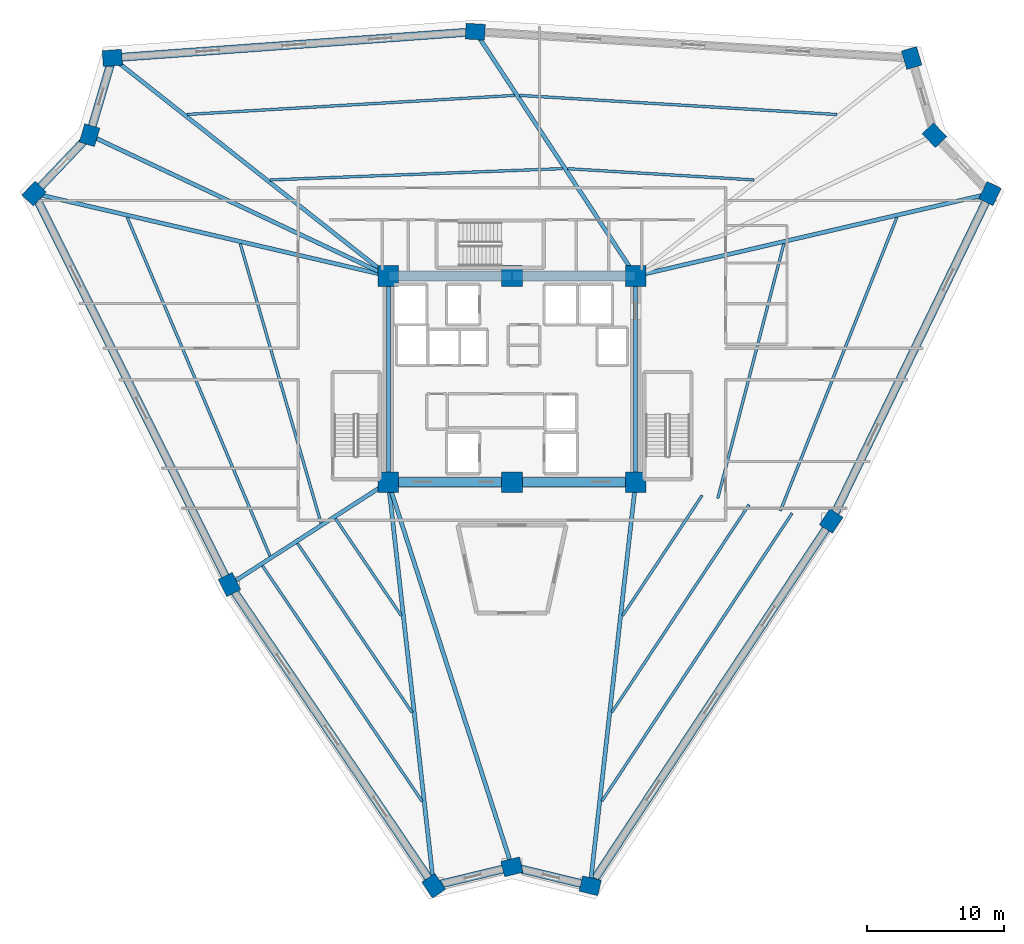
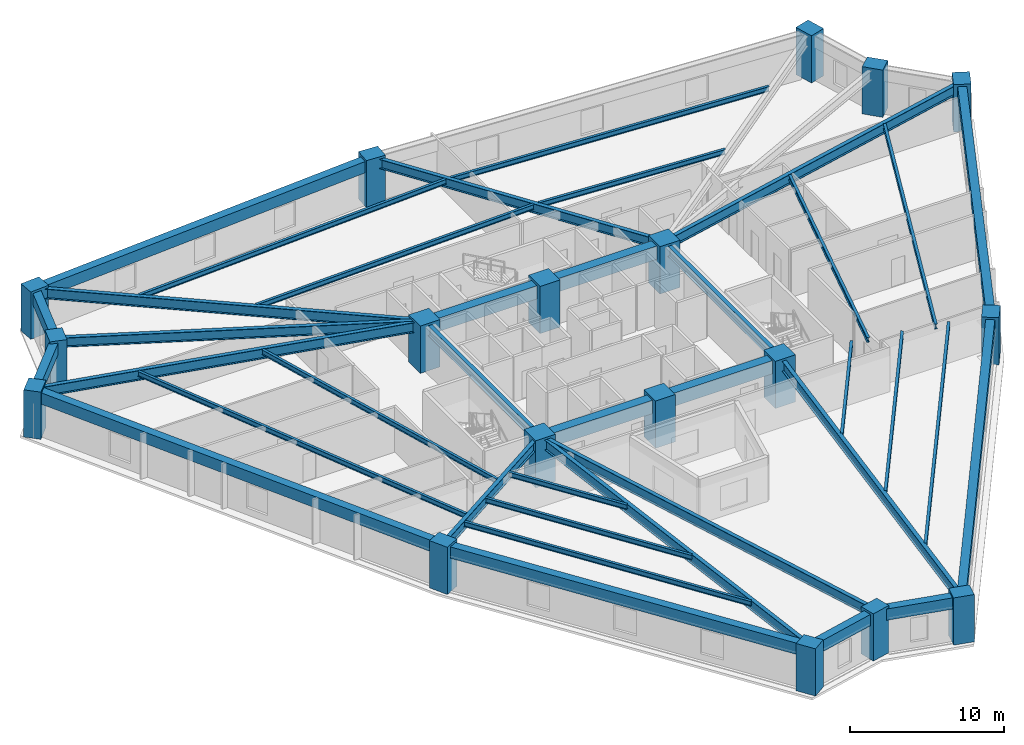
# One storey, part 1 of 10: 38 beams, 18 columns.
"""IFC4 building model written with IfcOpenShell, lengths in metres."""

from ifc_helpers import new_model, si_unit, direction, frame, origin, origin_2d, place, context, subcontext, project, spatial, rectangle, i_section, extrude, source, transform, mapped, material, material_profile, profile_set, type_object, element, save


model = new_model("IFC4")

# Units and contexts
model_context = context("Model", 3, precision=1e-05, world=origin(), true_north=direction((0.0, 1.0)))
body_context = subcontext(model_context, "Body", "Model", "MODEL_VIEW")
ifc_project = project(units=[si_unit("LENGTHUNIT", "METRE"), si_unit("AREAUNIT", "SQUARE_METRE"), si_unit("VOLUMEUNIT", "CUBIC_METRE"), si_unit("PLANEANGLEUNIT", "RADIAN"), si_unit("MASSUNIT", "GRAM", prefix="KILO")], contexts=[model_context])

# Site, building, storey
site_placement = place(None, origin())
site = spatial("IfcSite", under=ifc_project, at=site_placement, CompositionType="ELEMENT")
building_placement = place(site_placement, origin())
building = spatial("IfcBuilding", under=site, at=building_placement, Name="Liaohun Quay Tower", CompositionType="ELEMENT")
storey_placement = place(building_placement, frame((0.0, 0.0, 166.5)))
storey = spatial("IfcBuildingStorey", under=building, at=storey_placement, Name="L43", CompositionType="ELEMENT", Elevation=166.5)

# Columns
ifc_material_1 = material(Name="Concrete C60", Category="concrete")
ifc_material_profile_1 = material_profile(ifc_material_1, rectangle(XDim=1.5, YDim=1.5, at=origin_2d()), Name="RC1500x1500")
ifc_profile_set_1 = profile_set([ifc_material_profile_1], Name="Concrete C60")
column_type_1 = type_object("IfcColumnType", Name="COL-CC-Z2", PredefinedType="COLUMN", material=ifc_profile_set_1)
shared_shape_1 = source(origin(), body_context, "Body", "SweptSolid", [
    extrude(rectangle(XDim=1.5, YDim=1.5, at=origin_2d()), origin(), (0.0, 0.0, 1.0), 3.75),
])
for number, where, z_axis, x_axis, name in (
    (1, (51.0, 46.5, 0.0), (0.0, 0.0, 1.0), (1.0, 0.0, 0.0), "L43 Core Column CC1"),
    (2, (60.0, 46.5, 0.0), (0.0, 0.0, 1.0), (1.0, 0.0, 0.0), "L43 Core Column CC2"),
    (3, (69.0, 46.5, 0.0), (0.0, 0.0, 1.0), (1.0, 0.0, 0.0), "L43 Core Column CC3"),
    (4, (69.0, 61.5, 0.0), (0.0, 0.0, 1.0), (1.0, 0.0, 0.0), "L43 Core Column CC4"),
    (5, (60.0, 61.5, 0.0), (0.0, 0.0, 1.0), (1.0, 0.0, 0.0), "L43 Core Column CC5"),
    (6, (51.0, 61.5, 0.0), (0.0, 0.0, 1.0), (1.0, 0.0, 0.0), "L43 Core Column CC6"),
):
    element("IfcColumn", number, at=place(storey_placement, frame(where, z_axis=z_axis, x_axis=x_axis)), inside=storey, type_object=column_type_1, Name=name, PredefinedType="COLUMN", context=body_context, shape_type="MappedRepresentation", body=[
        mapped(shared_shape_1, transform((0.0, 0.0, 0.0), x_axis=(1.0, 0.0, 0.0), y_axis=(0.0, 1.0, 0.0), z_axis=(0.0, 0.0, 1.0), scale=1.0)),
    ])
ifc_material_profile_2 = material_profile(ifc_material_1, rectangle(XDim=1.39990234375, YDim=1.14990234375, at=origin_2d()), Name="RC1400x1150")
ifc_profile_set_2 = profile_set([ifc_material_profile_2], Name="Concrete C60")
column_type_2 = type_object("IfcColumnType", Name="COL-PIER-Z2", PredefinedType="COLUMN", material=ifc_profile_set_2)
shared_shape_2 = source(origin(), body_context, "Body", "SweptSolid", [
    extrude(rectangle(XDim=1.39990234375, YDim=1.14990234375, at=origin_2d()), origin(), (0.0, 0.0, 1.0), 3.75),
])
for number, where, z_axis, x_axis, name in (
    (7, (54.300048828125, 17.1220703125, 0.0), (0.0, 0.0, 1.0), (-0.56107248907, 0.827766671236, 0.0), "L43 Perimeter Pier PC01"),
    (8, (39.43994140625, 39.044921875, 0.0), (0.0, 0.0, 1.0), (-0.446978620671, 0.894544639838, 0.0), "L43 Perimeter Pier PC02"),
    (9, (25.218017578125, 67.508056640625, 0.0), (0.0, 0.0, 1.0), (0.689240273721, 0.724532846102, 0.0), "L43 Perimeter Pier PC03"),
    (10, (29.25390625, 71.7509765625, 0.0), (0.0, 0.0, 1.0), (0.28284371374, 0.959166009405, 0.0), "L43 Perimeter Pier PC04"),
    (11, (30.9130859375, 77.3759765625, 0.0), (0.0, 0.0, 1.0), (0.997403210231, 0.072019693281, 0.0), "L43 Perimeter Pier PC05"),
    (12, (57.3291015625, 79.282958984375, 0.0), (0.0, 0.0, 1.0), (-0.998187693254, 0.060177479469, 0.0), "L43 Perimeter Pier PC06"),
    (13, (89.089111328125, 77.367919921875, 0.0), (0.0, 0.0, 1.0), (-0.28284371374, 0.959166009405, 0.0), "L43 Perimeter Pier PC07"),
    (14, (90.74609375, 71.7509765625, 0.0), (0.0, 0.0, 1.0), (-0.689240273721, 0.724532846102, 0.0), "L43 Perimeter Pier PC08"),
    (15, (94.787109375, 67.5029296875, 0.0), (0.0, 0.0, 1.0), (0.436330721162, 0.899786364517, 0.0), "L43 Perimeter Pier PC09"),
    (16, (83.23193359375, 43.672119140625, 0.0), (0.0, 0.0, 1.0), (0.551209072583, 0.834367160369, 0.0), "L43 Perimeter Pier PC10"),
    (17, (65.693115234375, 17.123046875, 0.0), (0.0, 0.0, 1.0), (-0.972043021443, 0.234802820391, 0.0), "L43 Perimeter Pier PC11"),
    (18, (60.0, 18.498046875, 0.0), (0.0, 0.0, 1.0), (0.972043021443, 0.234802820391, 0.0), "L43 Perimeter Pier PC12"),
):
    element("IfcColumn", number, at=place(storey_placement, frame(where, z_axis=z_axis, x_axis=x_axis)), inside=storey, type_object=column_type_2, Name=name, PredefinedType="COLUMN", context=body_context, shape_type="MappedRepresentation", body=[
        mapped(shared_shape_2, transform((0.0, 0.0, 0.0), x_axis=(1.0, 0.0, 0.0), y_axis=(0.0, 1.0, 0.0), z_axis=(0.0, 0.0, 1.0), scale=1.0)),
    ])

# Beams
ifc_material_profile_3 = material_profile(ifc_material_1, rectangle(XDim=0.699951171875, YDim=1.050048828125, at=origin_2d()), Name="RC700x1050")
ifc_profile_set_3 = profile_set([ifc_material_profile_3], Name="Concrete C60")
beam_type_1 = type_object("IfcBeamType", Name="BM-CPL-1", PredefinedType="LINTEL", material=ifc_profile_set_3)
shared_shape_3 = source(origin(), body_context, "Body", "SweptSolid", [
    extrude(rectangle(XDim=0.699951171875, YDim=1.050048828125, at=origin_2d()), origin(), (0.0, 0.0, 1.0), 9.0),
])
for number, where, z_axis, x_axis, name in (
    (19, (51.0, 46.5, 3.044921875), (1.0, 0.0, 0.0), (0.0, 1.0, 0.0), "L43 Core Coupling/Ring Beam CC1-CC2"),
    (20, (60.0, 46.5, 3.044921875), (1.0, 0.0, 0.0), (0.0, 1.0, 0.0), "L43 Core Coupling/Ring Beam CC2-CC3"),
    (21, (69.0, 61.5, 3.044921875), (-1.0, 0.0, 0.0), (0.0, -1.0, 0.0), "L43 Core Coupling/Ring Beam CC4-CC5"),
    (22, (60.0, 61.5, 3.044921875), (-1.0, 0.0, 0.0), (0.0, -1.0, 0.0), "L43 Core Coupling/Ring Beam CC5-CC6"),
):
    element("IfcBeam", number, at=place(storey_placement, frame(where, z_axis=z_axis, x_axis=x_axis)), inside=storey, type_object=beam_type_1, Name=name, PredefinedType="LINTEL", context=body_context, shape_type="MappedRepresentation", body=[
        mapped(shared_shape_3, transform((0.0, 0.0, 0.0), x_axis=(1.0, 0.0, 0.0), y_axis=(0.0, 1.0, 0.0), z_axis=(0.0, 0.0, 1.0), scale=1.0)),
    ])
ifc_material_2 = material(Name="Steel Q355D", Category="steel")
ifc_material_profile_4 = material_profile(ifc_material_2, i_section(OverallWidth=0.300048828125, OverallDepth=0.800048828125, WebThickness=0.013916015625, FlangeThickness=0.02587890625, at=origin_2d()), Name="HN800x300x14x26")
ifc_profile_set_4 = profile_set([ifc_material_profile_4], Name="Steel Q355D")
beam_type_2 = type_object("IfcBeamType", Name="BM-RAD-M1", PredefinedType="BEAM", material=ifc_profile_set_4)
shared_shape_4 = source(origin(), body_context, "Body", "SweptSolid", [
    extrude(i_section(OverallWidth=0.300048828125, OverallDepth=0.800048828125, WebThickness=0.013916015625, FlangeThickness=0.02587890625, at=origin_2d()), origin(), (0.0, 0.0, 1.0), 15.0),
])
for number, where, z_axis, x_axis, name in (
    (23, (69.0, 46.5, 3.169921875), (0.0, 1.0, 0.0), (-1.0, 0.0, 0.0), "L43 Core Coupling/Ring Beam CC3-CC4"),
    (24, (51.0, 61.5, 3.169921875), (0.0, -1.0, 0.0), (1.0, 0.0, 0.0), "L43 Core Coupling/Ring Beam CC6-CC1"),
):
    element("IfcBeam", number, at=place(storey_placement, frame(where, z_axis=z_axis, x_axis=x_axis)), inside=storey, type_object=beam_type_2, Name=name, PredefinedType="BEAM", context=body_context, shape_type="MappedRepresentation", body=[
        mapped(shared_shape_4, transform((0.0, 0.0, 0.0), x_axis=(1.0, 0.0, 0.0), y_axis=(0.0, 1.0, 0.0), z_axis=(0.0, 0.0, 1.0), scale=1.0)),
    ])
shared_shape_5 = source(origin(), body_context, "Body", "SweptSolid", [
    extrude(i_section(OverallWidth=0.300048828125, OverallDepth=0.800048828125, WebThickness=0.013916015625, FlangeThickness=0.02587890625, at=origin_2d()), origin(), (0.0, 0.0, 1.0), 29.562744140625),
])
beam_1_placement = place(storey_placement, frame((51.0, 46.5, 3.169921875), z_axis=(0.111628813445, -0.993749972583, 0.0), x_axis=(0.993749972583, 0.111628813445, 0.0)))
element("IfcBeam", 25, at=beam_1_placement, inside=storey, type_object=beam_type_2, Name="L43 Radial Primary Girder CC1-PC01", PredefinedType="BEAM", context=body_context, shape_type="MappedRepresentation", body=[
    mapped(shared_shape_5, transform((0.0, 0.0, 0.0), x_axis=(1.0, 0.0, 0.0), y_axis=(0.0, 1.0, 0.0), z_axis=(0.0, 0.0, 1.0), scale=1.0)),
])
ifc_material_profile_5 = material_profile(ifc_material_2, i_section(OverallWidth=0.300048828125, OverallDepth=0.75, WebThickness=0.013916015625, FlangeThickness=0.02587890625, at=origin_2d()), Name="HN750x300x14x26")
ifc_profile_set_5 = profile_set([ifc_material_profile_5], Name="Steel Q355D")
beam_type_3 = type_object("IfcBeamType", Name="BM-RAD-M2", PredefinedType="BEAM", material=ifc_profile_set_5)
shared_shape_6 = source(origin(), body_context, "Body", "SweptSolid", [
    extrude(i_section(OverallWidth=0.300048828125, OverallDepth=0.75, WebThickness=0.013916015625, FlangeThickness=0.02587890625, at=origin_2d()), origin(), (0.0, 0.0, 1.0), 13.75537109375),
])
beam_2_placement = place(storey_placement, frame((51.0, 46.5, 3.195068359375), z_axis=(-0.840396787699, -0.541971622158, 0.0), x_axis=(0.541971622158, -0.840396787699, 0.0)))
element("IfcBeam", 26, at=beam_2_placement, inside=storey, type_object=beam_type_3, Name="L43 Radial Primary Girder CC1-PC02", PredefinedType="BEAM", context=body_context, shape_type="MappedRepresentation", body=[
    mapped(shared_shape_6, transform((0.0, 0.0, 0.0), x_axis=(1.0, 0.0, 0.0), y_axis=(0.0, 1.0, 0.0), z_axis=(0.0, 0.0, 1.0), scale=1.0)),
])
shared_shape_7 = source(origin(), body_context, "Body", "SweptSolid", [
    extrude(i_section(OverallWidth=0.300048828125, OverallDepth=0.800048828125, WebThickness=0.013916015625, FlangeThickness=0.02587890625, at=origin_2d()), origin(), (0.0, 0.0, 1.0), 26.47265625),
])
beam_3_placement = place(storey_placement, frame((51.0, 61.5, 3.169921875), z_axis=(-0.973905862646, 0.226952353379, 0.0), x_axis=(-0.226952353379, -0.973905862646, 0.0)))
element("IfcBeam", 27, at=beam_3_placement, inside=storey, type_object=beam_type_2, Name="L43 Radial Primary Girder CC6-PC03", PredefinedType="BEAM", context=body_context, shape_type="MappedRepresentation", body=[
    mapped(shared_shape_7, transform((0.0, 0.0, 0.0), x_axis=(1.0, 0.0, 0.0), y_axis=(0.0, 1.0, 0.0), z_axis=(0.0, 0.0, 1.0), scale=1.0)),
])
shared_shape_8 = source(origin(), body_context, "Body", "SweptSolid", [
    extrude(i_section(OverallWidth=0.300048828125, OverallDepth=0.75, WebThickness=0.013916015625, FlangeThickness=0.02587890625, at=origin_2d()), origin(), (0.0, 0.0, 1.0), 24.041015625),
])
beam_4_placement = place(storey_placement, frame((51.0, 61.5, 3.195068359375), z_axis=(-0.904537729086, 0.426393593597, 0.0), x_axis=(-0.426393593597, -0.904537729086, 0.0)))
element("IfcBeam", 28, at=beam_4_placement, inside=storey, type_object=beam_type_3, Name="L43 Radial Primary Girder CC6-PC04", PredefinedType="BEAM", context=body_context, shape_type="MappedRepresentation", body=[
    mapped(shared_shape_8, transform((0.0, 0.0, 0.0), x_axis=(1.0, 0.0, 0.0), y_axis=(0.0, 1.0, 0.0), z_axis=(0.0, 0.0, 1.0), scale=1.0)),
])
shared_shape_9 = source(origin(), body_context, "Body", "SweptSolid", [
    extrude(i_section(OverallWidth=0.300048828125, OverallDepth=0.800048828125, WebThickness=0.013916015625, FlangeThickness=0.02587890625, at=origin_2d()), origin(), (0.0, 0.0, 1.0), 25.603271484375),
])
beam_5_placement = place(storey_placement, frame((51.0, 61.5, 3.169921875), z_axis=(-0.784542884299, 0.620074562207, 0.0), x_axis=(-0.620074562207, -0.784542884299, 0.0)))
element("IfcBeam", 29, at=beam_5_placement, inside=storey, type_object=beam_type_2, Name="L43 Radial Primary Girder CC6-PC05", PredefinedType="BEAM", context=body_context, shape_type="MappedRepresentation", body=[
    mapped(shared_shape_9, transform((0.0, 0.0, 0.0), x_axis=(1.0, 0.0, 0.0), y_axis=(0.0, 1.0, 0.0), z_axis=(0.0, 0.0, 1.0), scale=1.0)),
])
shared_shape_10 = source(origin(), body_context, "Body", "SweptSolid", [
    extrude(i_section(OverallWidth=0.300048828125, OverallDepth=0.75, WebThickness=0.013916015625, FlangeThickness=0.02587890625, at=origin_2d()), origin(), (0.0, 0.0, 1.0), 21.270751953125),
])
beam_6_placement = place(storey_placement, frame((69.0, 61.5, 3.195068359375), z_axis=(-0.548683768494, 0.83602997685, 0.0), x_axis=(-0.83602997685, -0.548683768494, 0.0)))
element("IfcBeam", 30, at=beam_6_placement, inside=storey, type_object=beam_type_3, Name="L43 Radial Primary Girder CC4-PC06", PredefinedType="BEAM", context=body_context, shape_type="MappedRepresentation", body=[
    mapped(shared_shape_10, transform((0.0, 0.0, 0.0), x_axis=(1.0, 0.0, 0.0), y_axis=(0.0, 1.0, 0.0), z_axis=(0.0, 0.0, 1.0), scale=1.0)),
])
shared_shape_11 = source(origin(), body_context, "Body", "SweptSolid", [
    extrude(i_section(OverallWidth=0.300048828125, OverallDepth=0.800048828125, WebThickness=0.013916015625, FlangeThickness=0.02587890625, at=origin_2d()), origin(), (0.0, 0.0, 1.0), 26.4765625),
])
beam_7_placement = place(storey_placement, frame((69.0, 61.5, 3.169921875), z_axis=(0.973958610752, 0.226725879735, 0.0), x_axis=(-0.226725879735, 0.973958610752, 0.0)))
element("IfcBeam", 31, at=beam_7_placement, inside=storey, type_object=beam_type_2, Name="L43 Radial Primary Girder CC4-PC09", PredefinedType="BEAM", context=body_context, shape_type="MappedRepresentation", body=[
    mapped(shared_shape_11, transform((0.0, 0.0, 0.0), x_axis=(1.0, 0.0, 0.0), y_axis=(0.0, 1.0, 0.0), z_axis=(0.0, 0.0, 1.0), scale=1.0)),
])
shared_shape_12 = source(origin(), body_context, "Body", "SweptSolid", [
    extrude(i_section(OverallWidth=0.300048828125, OverallDepth=0.800048828125, WebThickness=0.013916015625, FlangeThickness=0.02587890625, at=origin_2d()), origin(), (0.0, 0.0, 1.0), 29.5625),
])
beam_8_placement = place(storey_placement, frame((69.0, 46.5, 3.169921875), z_axis=(-0.111860830301, -0.993723882497, 0.0), x_axis=(0.993723882497, -0.111860830301, 0.0)))
element("IfcBeam", 32, at=beam_8_placement, inside=storey, type_object=beam_type_2, Name="L43 Radial Primary Girder CC3-PC11", PredefinedType="BEAM", context=body_context, shape_type="MappedRepresentation", body=[
    mapped(shared_shape_12, transform((0.0, 0.0, 0.0), x_axis=(1.0, 0.0, 0.0), y_axis=(0.0, 1.0, 0.0), z_axis=(0.0, 0.0, 1.0), scale=1.0)),
])
shared_shape_13 = source(origin(), body_context, "Body", "SweptSolid", [
    extrude(i_section(OverallWidth=0.300048828125, OverallDepth=0.75, WebThickness=0.013916015625, FlangeThickness=0.02587890625, at=origin_2d()), origin(), (0.0, 0.0, 1.0), 29.412841796875),
])
beam_9_placement = place(storey_placement, frame((51.0, 46.5, 3.195068359375), z_axis=(0.305989834894, -0.952034779271, 0.0), x_axis=(0.952034779271, 0.305989834894, 0.0)))
element("IfcBeam", 33, at=beam_9_placement, inside=storey, type_object=beam_type_3, Name="L43 Radial Primary Girder CC1-PC12", PredefinedType="BEAM", context=body_context, shape_type="MappedRepresentation", body=[
    mapped(shared_shape_13, transform((0.0, 0.0, 0.0), x_axis=(1.0, 0.0, 0.0), y_axis=(0.0, 1.0, 0.0), z_axis=(0.0, 0.0, 1.0), scale=1.0)),
])
ifc_material_profile_6 = material_profile(ifc_material_2, i_section(OverallWidth=0.199951171875, OverallDepth=0.39990234375, WebThickness=0.008056640625, FlangeThickness=0.012939453125, at=origin_2d()), Name="HN400x200x8x13")
ifc_profile_set_6 = profile_set([ifc_material_profile_6], Name="Steel Q355D")
beam_type_4 = type_object("IfcBeamType", Name="BM-SEC-J2", PredefinedType="JOIST", material=ifc_profile_set_6)
shared_shape_14 = source(origin(), body_context, "Body", "SweptSolid", [
    extrude(i_section(OverallWidth=0.199951171875, OverallDepth=0.39990234375, WebThickness=0.008056640625, FlangeThickness=0.012939453125, at=origin_2d()), origin(), (0.0, 0.0, 1.0), 8.5322265625),
])
beam_10_placement = place(storey_placement, frame((51.94091796875, 36.778076171875, 3.3701171875), z_axis=(-0.561029712633, 0.827795664124, 0.0), x_axis=(-0.827795664124, -0.561029712633, 0.0)))
element("IfcBeam", 34, at=beam_10_placement, inside=storey, type_object=beam_type_4, Name="L43 Wing Secondary Floor Joist SJ-01", PredefinedType="JOIST", context=body_context, shape_type="MappedRepresentation", body=[
    mapped(shared_shape_14, transform((0.0, 0.0, 0.0), x_axis=(1.0, 0.0, 0.0), y_axis=(0.0, 1.0, 0.0), z_axis=(0.0, 0.0, 1.0), scale=1.0)),
])
shared_shape_15 = source(origin(), body_context, "Body", "SweptSolid", [
    extrude(i_section(OverallWidth=0.199951171875, OverallDepth=0.39990234375, WebThickness=0.008056640625, FlangeThickness=0.012939453125, at=origin_2d()), origin(), (0.0, 0.0, 1.0), 14.888671875),
])
beam_11_placement = place(storey_placement, frame((52.73291015625, 29.72802734375, 3.3701171875), z_axis=(-0.56110156038, 0.827746965527, 0.0), x_axis=(-0.827746965527, -0.56110156038, 0.0)))
element("IfcBeam", 35, at=beam_11_placement, inside=storey, type_object=beam_type_4, Name="L43 Wing Secondary Floor Joist SJ-02", PredefinedType="JOIST", context=body_context, shape_type="MappedRepresentation", body=[
    mapped(shared_shape_15, transform((0.0, 0.0, 0.0), x_axis=(1.0, 0.0, 0.0), y_axis=(0.0, 1.0, 0.0), z_axis=(0.0, 0.0, 1.0), scale=1.0)),
])
shared_shape_16 = source(origin(), body_context, "Body", "SweptSolid", [
    extrude(i_section(OverallWidth=0.199951171875, OverallDepth=0.39990234375, WebThickness=0.008056640625, FlangeThickness=0.012939453125, at=origin_2d()), origin(), (0.0, 0.0, 1.0), 20.71533203125),
])
beam_12_placement = place(storey_placement, frame((53.458984375, 23.264892578125, 3.3701171875), z_axis=(-0.561086043674, 0.827757483563, 0.0), x_axis=(-0.827757483563, -0.561086043674, 0.0)))
element("IfcBeam", 36, at=beam_12_placement, inside=storey, type_object=beam_type_4, Name="L43 Wing Secondary Floor Joist SJ-03", PredefinedType="JOIST", context=body_context, shape_type="MappedRepresentation", body=[
    mapped(shared_shape_16, transform((0.0, 0.0, 0.0), x_axis=(1.0, 0.0, 0.0), y_axis=(0.0, 1.0, 0.0), z_axis=(0.0, 0.0, 1.0), scale=1.0)),
])
shared_shape_17 = source(origin(), body_context, "Body", "SweptSolid", [
    extrude(i_section(OverallWidth=0.199951171875, OverallDepth=0.39990234375, WebThickness=0.008056640625, FlangeThickness=0.012939453125, at=origin_2d()), origin(), (0.0, 0.0, 1.0), 21.17236328125),
])
beam_13_placement = place(storey_placement, frame((46.10107421875, 43.51904296875, 3.3701171875), z_axis=(-0.277818957715, 0.960633450768, 0.0), x_axis=(-0.960633450768, -0.277818957715, 0.0)))
element("IfcBeam", 37, at=beam_13_placement, inside=storey, type_object=beam_type_4, Name="L43 Wing Secondary Floor Joist SJ-04", PredefinedType="JOIST", context=body_context, shape_type="MappedRepresentation", body=[
    mapped(shared_shape_17, transform((0.0, 0.0, 0.0), x_axis=(1.0, 0.0, 0.0), y_axis=(0.0, 1.0, 0.0), z_axis=(0.0, 0.0, 1.0), scale=1.0)),
])
shared_shape_18 = source(origin(), body_context, "Body", "SweptSolid", [
    extrude(i_section(OverallWidth=0.199951171875, OverallDepth=0.39990234375, WebThickness=0.008056640625, FlangeThickness=0.012939453125, at=origin_2d()), origin(), (0.0, 0.0, 1.0), 26.752197265625),
])
beam_14_placement = place(storey_placement, frame((42.385986328125, 41.1240234375, 3.3701171875), z_axis=(-0.388493501062, 0.921451463525, 0.0), x_axis=(-0.921451463525, -0.388493501062, 0.0)))
element("IfcBeam", 38, at=beam_14_placement, inside=storey, type_object=beam_type_4, Name="L43 Wing Secondary Floor Joist SJ-05", PredefinedType="JOIST", context=body_context, shape_type="MappedRepresentation", body=[
    mapped(shared_shape_18, transform((0.0, 0.0, 0.0), x_axis=(1.0, 0.0, 0.0), y_axis=(0.0, 1.0, 0.0), z_axis=(0.0, 0.0, 1.0), scale=1.0)),
])
shared_shape_19 = source(origin(), body_context, "Body", "SweptSolid", [
    extrude(i_section(OverallWidth=0.199951171875, OverallDepth=0.39990234375, WebThickness=0.008056640625, FlangeThickness=0.012939453125, at=origin_2d()), origin(), (0.0, 0.0, 1.0), 21.313720703125),
])
beam_15_placement = place(storey_placement, frame((42.39208984375, 68.493896484375, 3.3701171875), z_axis=(0.9992520098, 0.038670672487, 0.0), x_axis=(-0.038670672487, 0.9992520098, 0.0)))
element("IfcBeam", 39, at=beam_15_placement, inside=storey, type_object=beam_type_4, Name="L43 Wing Secondary Floor Joist SJ-06", PredefinedType="JOIST", context=body_context, shape_type="MappedRepresentation", body=[
    mapped(shared_shape_19, transform((0.0, 0.0, 0.0), x_axis=(1.0, 0.0, 0.0), y_axis=(0.0, 1.0, 0.0), z_axis=(0.0, 0.0, 1.0), scale=1.0)),
])
shared_shape_20 = source(origin(), body_context, "Body", "SweptSolid", [
    extrude(i_section(OverallWidth=0.199951171875, OverallDepth=0.39990234375, WebThickness=0.008056640625, FlangeThickness=0.012939453125, at=origin_2d()), origin(), (0.0, 0.0, 1.0), 23.8701171875),
])
beam_16_placement = place(storey_placement, frame((36.361083984375, 73.260986328125, 3.3701171875), z_axis=(0.998308134742, 0.058145232883, 0.0), x_axis=(-0.058145232883, 0.998308134742, 0.0)))
element("IfcBeam", 40, at=beam_16_placement, inside=storey, type_object=beam_type_4, Name="L43 Wing Secondary Floor Joist SJ-07", PredefinedType="JOIST", context=body_context, shape_type="MappedRepresentation", body=[
    mapped(shared_shape_20, transform((0.0, 0.0, 0.0), x_axis=(1.0, 0.0, 0.0), y_axis=(0.0, 1.0, 0.0), z_axis=(0.0, 0.0, 1.0), scale=1.0)),
])
shared_shape_21 = source(origin(), body_context, "Body", "SweptSolid", [
    extrude(i_section(OverallWidth=0.199951171875, OverallDepth=0.39990234375, WebThickness=0.008056640625, FlangeThickness=0.012939453125, at=origin_2d()), origin(), (0.0, 0.0, 1.0), 13.586669921875),
])
beam_17_placement = place(storey_placement, frame((64.052001953125, 69.31298828125, 3.3701171875), z_axis=(0.998186536267, -0.060196667804, 0.0), x_axis=(0.060196667804, 0.998186536267, 0.0)))
element("IfcBeam", 41, at=beam_17_placement, inside=storey, type_object=beam_type_4, Name="L43 Wing Secondary Floor Joist SJ-08", PredefinedType="JOIST", context=body_context, shape_type="MappedRepresentation", body=[
    mapped(shared_shape_21, transform((0.0, 0.0, 0.0), x_axis=(1.0, 0.0, 0.0), y_axis=(0.0, 1.0, 0.0), z_axis=(0.0, 0.0, 1.0), scale=1.0)),
])
shared_shape_22 = source(origin(), body_context, "Body", "SweptSolid", [
    extrude(i_section(OverallWidth=0.199951171875, OverallDepth=0.39990234375, WebThickness=0.008056640625, FlangeThickness=0.012939453125, at=origin_2d()), origin(), (0.0, 0.0, 1.0), 23.133056640625),
])
beam_18_placement = place(storey_placement, frame((60.550048828125, 74.64794921875, 3.3701171875), z_axis=(0.998188314423, -0.06016717502, 0.0), x_axis=(0.06016717502, 0.998188314423, 0.0)))
element("IfcBeam", 42, at=beam_18_placement, inside=storey, type_object=beam_type_4, Name="L43 Wing Secondary Floor Joist SJ-09", PredefinedType="JOIST", context=body_context, shape_type="MappedRepresentation", body=[
    mapped(shared_shape_22, transform((0.0, 0.0, 0.0), x_axis=(1.0, 0.0, 0.0), y_axis=(0.0, 1.0, 0.0), z_axis=(0.0, 0.0, 1.0), scale=1.0)),
])
shared_shape_23 = source(origin(), body_context, "Body", "SweptSolid", [
    extrude(i_section(OverallWidth=0.199951171875, OverallDepth=0.39990234375, WebThickness=0.008056640625, FlangeThickness=0.012939453125, at=origin_2d()), origin(), (0.0, 0.0, 1.0), 19.158935546875),
])
beam_19_placement = place(storey_placement, frame((79.7880859375, 63.85693359375, 3.3701171875), z_axis=(-0.25111340095, -0.967957674624, 0.0), x_axis=(0.967957674624, -0.25111340095, 0.0)))
element("IfcBeam", 43, at=beam_19_placement, inside=storey, type_object=beam_type_4, Name="L43 Wing Secondary Floor Joist SJ-10", PredefinedType="JOIST", context=body_context, shape_type="MappedRepresentation", body=[
    mapped(shared_shape_23, transform((0.0, 0.0, 0.0), x_axis=(1.0, 0.0, 0.0), y_axis=(0.0, 1.0, 0.0), z_axis=(0.0, 0.0, 1.0), scale=1.0)),
])
shared_shape_24 = source(origin(), body_context, "Body", "SweptSolid", [
    extrude(i_section(OverallWidth=0.199951171875, OverallDepth=0.39990234375, WebThickness=0.008056640625, FlangeThickness=0.012939453125, at=origin_2d()), origin(), (0.0, 0.0, 1.0), 22.98828125),
])
beam_20_placement = place(storey_placement, frame((88.014892578125, 65.77294921875, 3.3701171875), z_axis=(-0.369009068734, -0.929425794344, 0.0), x_axis=(0.929425794344, -0.369009068734, 0.0)))
element("IfcBeam", 44, at=beam_20_placement, inside=storey, type_object=beam_type_4, Name="L43 Wing Secondary Floor Joist SJ-11", PredefinedType="JOIST", context=body_context, shape_type="MappedRepresentation", body=[
    mapped(shared_shape_24, transform((0.0, 0.0, 0.0), x_axis=(1.0, 0.0, 0.0), y_axis=(0.0, 1.0, 0.0), z_axis=(0.0, 0.0, 1.0), scale=1.0)),
])
shared_shape_25 = source(origin(), body_context, "Body", "SweptSolid", [
    extrude(i_section(OverallWidth=0.199951171875, OverallDepth=0.39990234375, WebThickness=0.008056640625, FlangeThickness=0.012939453125, at=origin_2d()), origin(), (0.0, 0.0, 1.0), 10.488037109375),
])
beam_21_placement = place(storey_placement, frame((73.839111328125, 45.5380859375, 3.3701171875), z_axis=(-0.551198234726, -0.834374320095, 0.0), x_axis=(0.834374320095, -0.551198234726, 0.0)))
element("IfcBeam", 45, at=beam_21_placement, inside=storey, type_object=beam_type_4, Name="L43 Wing Secondary Floor Joist SJ-12", PredefinedType="JOIST", context=body_context, shape_type="MappedRepresentation", body=[
    mapped(shared_shape_25, transform((0.0, 0.0, 0.0), x_axis=(1.0, 0.0, 0.0), y_axis=(0.0, 1.0, 0.0), z_axis=(0.0, 0.0, 1.0), scale=1.0)),
])
shared_shape_26 = source(origin(), body_context, "Body", "SweptSolid", [
    extrude(i_section(OverallWidth=0.199951171875, OverallDepth=0.39990234375, WebThickness=0.008056640625, FlangeThickness=0.012939453125, at=origin_2d()), origin(), (0.0, 0.0, 1.0), 18.125244140625),
])
beam_22_placement = place(storey_placement, frame((77.2548828125, 44.860107421875, 3.3701171875), z_axis=(-0.551217080195, -0.834361870234, 0.0), x_axis=(0.834361870234, -0.551217080195, 0.0)))
element("IfcBeam", 46, at=beam_22_placement, inside=storey, type_object=beam_type_4, Name="L43 Wing Secondary Floor Joist SJ-13", PredefinedType="JOIST", context=body_context, shape_type="MappedRepresentation", body=[
    mapped(shared_shape_26, transform((0.0, 0.0, 0.0), x_axis=(1.0, 0.0, 0.0), y_axis=(0.0, 1.0, 0.0), z_axis=(0.0, 0.0, 1.0), scale=1.0)),
])
shared_shape_27 = source(origin(), body_context, "Body", "SweptSolid", [
    extrude(i_section(OverallWidth=0.199951171875, OverallDepth=0.39990234375, WebThickness=0.008056640625, FlangeThickness=0.012939453125, at=origin_2d()), origin(), (0.0, 0.0, 1.0), 25.1259765625),
])
beam_23_placement = place(storey_placement, frame((80.385986328125, 44.238037109375, 3.3701171875), z_axis=(-0.551224291021, -0.834357106393, 0.0), x_axis=(0.834357106393, -0.551224291021, 0.0)))
element("IfcBeam", 47, at=beam_23_placement, inside=storey, type_object=beam_type_4, Name="L43 Wing Secondary Floor Joist SJ-14", PredefinedType="JOIST", context=body_context, shape_type="MappedRepresentation", body=[
    mapped(shared_shape_27, transform((0.0, 0.0, 0.0), x_axis=(1.0, 0.0, 0.0), y_axis=(0.0, 1.0, 0.0), z_axis=(0.0, 0.0, 1.0), scale=1.0)),
])
ifc_material_3 = material(Name="Precast concrete C55", Category="concrete")
ifc_material_profile_7 = material_profile(ifc_material_3, rectangle(XDim=0.60009765625, YDim=0.89990234375, at=origin_2d()), Name="RC600x900")
ifc_profile_set_7 = profile_set([ifc_material_profile_7], Name="Precast concrete C55")
beam_type_5 = type_object("IfcBeamType", Name="BM-SPD-Z2", PredefinedType="SPANDREL", material=ifc_profile_set_7)
shared_shape_28 = source(origin(), body_context, "Body", "SweptSolid", [
    extrude(rectangle(XDim=0.60009765625, YDim=0.89990234375, at=origin_2d()), origin(), (0.0, 0.0, 1.0), 26.484619140625),
])
for number, where, z_axis, x_axis, name in (
    (48, (54.300048828125, 17.1220703125, 3.1201171875), (-0.561084764615, 0.827758350557, 0.0), (-0.827758350557, -0.561084764615, 0.0), "L43 Precast Spandrel Beam PC01-PC02"),
    (49, (94.787109375, 67.5029296875, 3.1201171875), (-0.436299289997, -0.89980160566, 0.0), (0.89980160566, -0.436299289997, 0.0), "L43 Precast Spandrel Beam PC09-PC10"),
):
    element("IfcBeam", number, at=place(storey_placement, frame(where, z_axis=z_axis, x_axis=x_axis)), inside=storey, type_object=beam_type_5, Name=name, PredefinedType="SPANDREL", context=body_context, shape_type="MappedRepresentation", body=[
        mapped(shared_shape_28, transform((0.0, 0.0, 0.0), x_axis=(1.0, 0.0, 0.0), y_axis=(0.0, 1.0, 0.0), z_axis=(0.0, 0.0, 1.0), scale=1.0)),
    ])
shared_shape_29 = source(origin(), body_context, "Body", "SweptSolid", [
    extrude(rectangle(XDim=0.60009765625, YDim=0.89990234375, at=origin_2d()), origin(), (0.0, 0.0, 1.0), 31.818359375),
])
beam_24_placement = place(storey_placement, frame((39.43994140625, 39.044921875, 3.1201171875), z_axis=(-0.446971114522, 0.894548390409, 0.0), x_axis=(-0.894548390409, -0.446971114522, 0.0)))
element("IfcBeam", 50, at=beam_24_placement, inside=storey, type_object=beam_type_5, Name="L43 Precast Spandrel Beam PC02-PC03", PredefinedType="SPANDREL", context=body_context, shape_type="MappedRepresentation", body=[
    mapped(shared_shape_29, transform((0.0, 0.0, 0.0), x_axis=(1.0, 0.0, 0.0), y_axis=(0.0, 1.0, 0.0), z_axis=(0.0, 0.0, 1.0), scale=1.0)),
])
shared_shape_30 = source(origin(), body_context, "Body", "SweptSolid", [
    extrude(rectangle(XDim=0.60009765625, YDim=0.89990234375, at=origin_2d()), origin(), (0.0, 0.0, 1.0), 5.855712890625),
])
beam_25_placement = place(storey_placement, frame((25.218017578125, 67.508056640625, 3.1201171875), z_axis=(0.689208427544, 0.724563139694, 0.0), x_axis=(-0.724563139694, 0.689208427544, 0.0)))
element("IfcBeam", 51, at=beam_25_placement, inside=storey, type_object=beam_type_5, Name="L43 Precast Spandrel Beam PC03-PC04", PredefinedType="SPANDREL", context=body_context, shape_type="MappedRepresentation", body=[
    mapped(shared_shape_30, transform((0.0, 0.0, 0.0), x_axis=(1.0, 0.0, 0.0), y_axis=(0.0, 1.0, 0.0), z_axis=(0.0, 0.0, 1.0), scale=1.0)),
])
shared_shape_31 = source(origin(), body_context, "Body", "SweptSolid", [
    extrude(rectangle(XDim=0.60009765625, YDim=0.89990234375, at=origin_2d()), origin(), (0.0, 0.0, 1.0), 5.864501953125),
])
beam_26_placement = place(storey_placement, frame((29.25390625, 71.7509765625, 3.1201171875), z_axis=(0.282914509671, 0.959145129903, 0.0), x_axis=(-0.959145129903, 0.282914509671, 0.0)))
element("IfcBeam", 52, at=beam_26_placement, inside=storey, type_object=beam_type_5, Name="L43 Precast Spandrel Beam PC04-PC05", PredefinedType="SPANDREL", context=body_context, shape_type="MappedRepresentation", body=[
    mapped(shared_shape_31, transform((0.0, 0.0, 0.0), x_axis=(1.0, 0.0, 0.0), y_axis=(0.0, 1.0, 0.0), z_axis=(0.0, 0.0, 1.0), scale=1.0)),
])
shared_shape_32 = source(origin(), body_context, "Body", "SweptSolid", [
    extrude(rectangle(XDim=0.60009765625, YDim=0.89990234375, at=origin_2d()), origin(), (0.0, 0.0, 1.0), 26.48486328125),
])
beam_27_placement = place(storey_placement, frame((30.9130859375, 77.3759765625, 3.1201171875), z_axis=(0.99740441461, 0.072003011853, 0.0), x_axis=(-0.072003011853, 0.99740441461, 0.0)))
element("IfcBeam", 53, at=beam_27_placement, inside=storey, type_object=beam_type_5, Name="L43 Precast Spandrel Beam PC05-PC06", PredefinedType="SPANDREL", context=body_context, shape_type="MappedRepresentation", body=[
    mapped(shared_shape_32, transform((0.0, 0.0, 0.0), x_axis=(1.0, 0.0, 0.0), y_axis=(0.0, 1.0, 0.0), z_axis=(0.0, 0.0, 1.0), scale=1.0)),
])
shared_shape_33 = source(origin(), body_context, "Body", "SweptSolid", [
    extrude(rectangle(XDim=0.60009765625, YDim=0.89990234375, at=origin_2d()), origin(), (0.0, 0.0, 1.0), 31.8193359375),
])
beam_28_placement = place(storey_placement, frame((83.23193359375, 43.672119140625, 3.1201171875), z_axis=(-0.551201850189, -0.834371931664, 0.0), x_axis=(0.834371931664, -0.551201850189, 0.0)))
element("IfcBeam", 54, at=beam_28_placement, inside=storey, type_object=beam_type_5, Name="L43 Precast Spandrel Beam PC10-PC11", PredefinedType="SPANDREL", context=body_context, shape_type="MappedRepresentation", body=[
    mapped(shared_shape_33, transform((0.0, 0.0, 0.0), x_axis=(1.0, 0.0, 0.0), y_axis=(0.0, 1.0, 0.0), z_axis=(0.0, 0.0, 1.0), scale=1.0)),
])
shared_shape_34 = source(origin(), body_context, "Body", "SweptSolid", [
    extrude(rectangle(XDim=0.60009765625, YDim=0.89990234375, at=origin_2d()), origin(), (0.0, 0.0, 1.0), 5.856689453125),
])
beam_29_placement = place(storey_placement, frame((65.693115234375, 17.123046875, 3.1201171875), z_axis=(-0.972051053399, 0.234769566994, 0.0), x_axis=(-0.234769566994, -0.972051053399, 0.0)))
element("IfcBeam", 55, at=beam_29_placement, inside=storey, type_object=beam_type_5, Name="L43 Precast Spandrel Beam PC11-PC12", PredefinedType="SPANDREL", context=body_context, shape_type="MappedRepresentation", body=[
    mapped(shared_shape_34, transform((0.0, 0.0, 0.0), x_axis=(1.0, 0.0, 0.0), y_axis=(0.0, 1.0, 0.0), z_axis=(0.0, 0.0, 1.0), scale=1.0)),
])
shared_shape_35 = source(origin(), body_context, "Body", "SweptSolid", [
    extrude(rectangle(XDim=0.60009765625, YDim=0.89990234375, at=origin_2d()), origin(), (0.0, 0.0, 1.0), 5.86376953125),
])
beam_30_placement = place(storey_placement, frame((60.0, 18.498046875, 3.1201171875), z_axis=(-0.97207729624, -0.234660883266, 0.0), x_axis=(0.234660883266, -0.97207729624, 0.0)))
element("IfcBeam", 56, at=beam_30_placement, inside=storey, type_object=beam_type_5, Name="L43 Precast Spandrel Beam PC12-PC01", PredefinedType="SPANDREL", context=body_context, shape_type="MappedRepresentation", body=[
    mapped(shared_shape_35, transform((0.0, 0.0, 0.0), x_axis=(1.0, 0.0, 0.0), y_axis=(0.0, 1.0, 0.0), z_axis=(0.0, 0.0, 1.0), scale=1.0)),
])

save(model, "model.ifc")
